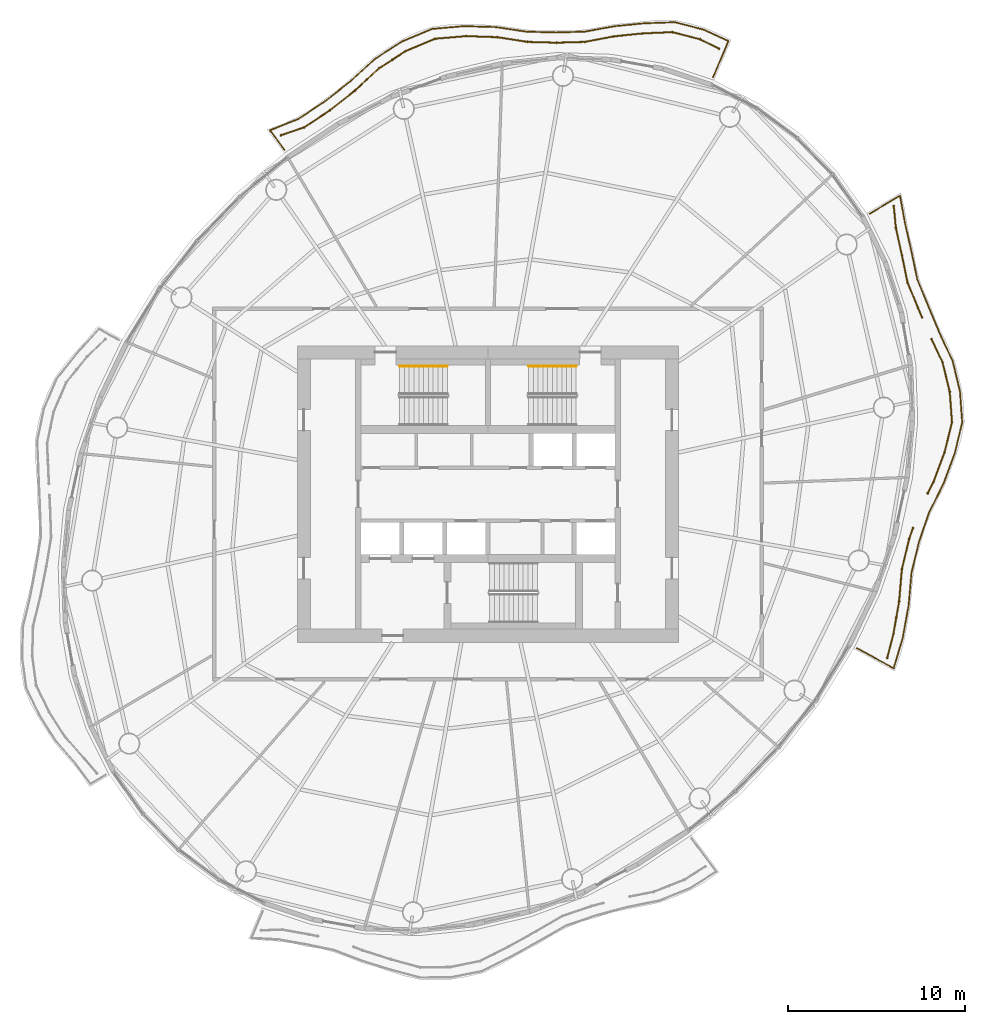
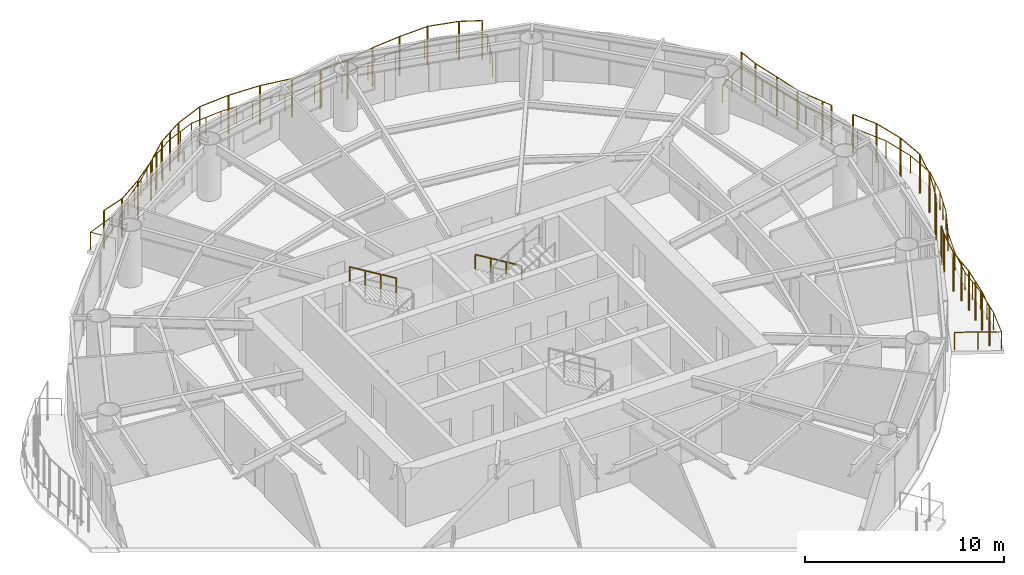
# One storey, part 14 of 14: 8 railings.
"""IFC4 building model written with IfcOpenShell, lengths in metres."""

from ifc_helpers import new_model, si_unit, direction, frame, origin, origin_2d, place, context, subcontext, project, spatial, circle, extrude, material, type_object, element, save


model = new_model("IFC4")

# Units and contexts
model_context = context("Model", 3, precision=1e-05, world=origin(), true_north=direction((0.0, 1.0)))
body_context = subcontext(model_context, "Body", "Model", "MODEL_VIEW")
ifc_project = project(units=[si_unit("LENGTHUNIT", "METRE"), si_unit("AREAUNIT", "SQUARE_METRE"), si_unit("VOLUMEUNIT", "CUBIC_METRE"), si_unit("PLANEANGLEUNIT", "RADIAN"), si_unit("MASSUNIT", "GRAM", prefix="KILO")], contexts=[model_context])

# Site, building, storey
site_placement = place(None, origin())
site = spatial("IfcSite", under=ifc_project, at=site_placement, CompositionType="ELEMENT")
building_placement = place(site_placement, origin())
building = spatial("IfcBuilding", under=site, at=building_placement, Name="Vermilion Reach Broadcast Tower", CompositionType="ELEMENT")
storey_placement = place(building_placement, frame((0.0, 0.0, 228.10009765625)))
storey = spatial("IfcBuildingStorey", under=building, at=storey_placement, Name="L56", CompositionType="ELEMENT", Elevation=228.10009765625)

# Railings
ifc_material_1 = material(Name="Terracotta baguette", Category="masonry")
railing_type_1 = type_object("IfcRailingType", Name="BAGUETTE SCREEN", PredefinedType="USERDEFINED", material=ifc_material_1)
railing_1_placement = place(storey_placement, frame((7.08251953125, 25.23291015625, 0.0)))
element("IfcRailing", 1, at=railing_1_placement, inside=storey, type_object=railing_type_1, Name="Baguette screen L56 group 1", ObjectType="BAGUETTE SCREEN", PredefinedType="USERDEFINED", context=body_context, shape_type="SweptSolid", body=[
    extrude(circle(Radius=0.030029296875, at=origin_2d()), frame((0.0, 0.0, 2.369873046875), z_axis=(-0.894839368903, 0.446388288222, 0.0), x_axis=(-0.446388288222, -0.894839368903, 0.0)), (0.0, 0.0, 1.0), 1.18359375),
    extrude(circle(Radius=0.030029296875, at=origin_2d()), frame((-1.05908203125, 0.5283203125, 2.369873046875), z_axis=(-0.968167002315, 0.250305125055, 0.0), x_axis=(-0.250305125055, -0.968167002315, 0.0)), (0.0, 0.0, 1.0), 1.625),
    extrude(circle(Radius=0.030029296875, at=origin_2d()), frame((-2.63232421875, 0.93505859375, 2.369873046875), z_axis=(-0.999123793949, -0.04185265062, 0.0), x_axis=(0.04185265062, -0.999123793949, 0.0)), (0.0, 0.0, 1.0), 1.691650390625),
    extrude(circle(Radius=0.030029296875, at=origin_2d()), frame((-4.322509765625, 0.8642578125, 2.369873046875), z_axis=(-0.994676651073, -0.103045425951, 0.0), x_axis=(0.103045425951, -0.994676651073, 0.0)), (0.0, 0.0, 1.0), 1.6513671875),
    extrude(circle(Radius=0.030029296875, at=origin_2d()), frame((-5.965087890625, 0.694091796875, 2.369873046875), z_axis=(-0.982385998176, -0.186862919241, 0.0), x_axis=(0.186862919241, -0.982385998176, 0.0)), (0.0, 0.0, 1.0), 1.665771484375),
    extrude(circle(Radius=0.030029296875, at=origin_2d()), frame((-7.6015625, 0.3828125, 2.369873046875), z_axis=(-0.999580891584, -0.02894894093, 0.0), x_axis=(0.02894894093, -0.999580891584, 0.0)), (0.0, 0.0, 1.0), 1.593994140625),
    extrude(circle(Radius=0.030029296875, at=origin_2d()), frame((-9.19482421875, 0.336669921875, 2.369873046875), z_axis=(-0.99959871265, 0.028326907139, 0.0), x_axis=(-0.028326907139, -0.99959871265, 0.0)), (0.0, 0.0, 1.0), 1.646240234375),
    extrude(circle(Radius=0.030029296875, at=origin_2d()), frame((-10.84033203125, 0.38330078125, 2.369873046875), z_axis=(-0.988067819119, 0.154019430013, 0.0), x_axis=(-0.154019430013, -0.988067819119, 0.0)), (0.0, 0.0, 1.0), 1.7294921875),
    extrude(circle(Radius=0.030029296875, at=origin_2d()), frame((-12.549072265625, 0.649658203125, 2.369873046875), z_axis=(-0.999427839296, 0.033822980942, 0.0), x_axis=(-0.033822980942, -0.999427839296, 0.0)), (0.0, 0.0, 1.0), 1.775634765625),
    extrude(circle(Radius=0.030029296875, at=origin_2d()), frame((-14.32373046875, 0.709716796875, 2.369873046875), z_axis=(-0.996409629639, -0.084663155876, 0.0), x_axis=(0.084663155876, -0.996409629639, 0.0)), (0.0, 0.0, 1.0), 1.7734375),
    extrude(circle(Radius=0.030029296875, at=origin_2d()), frame((-16.0908203125, 0.5595703125, 2.369873046875), z_axis=(-0.920783185986, -0.390074767712, 0.0), x_axis=(0.390074767712, -0.920783185986, 0.0)), (0.0, 0.0, 1.0), 1.794921875),
    extrude(circle(Radius=0.030029296875, at=origin_2d()), frame((-17.74365234375, -0.140625, 2.369873046875), z_axis=(-0.841020081252, -0.541003902879, 0.0), x_axis=(0.541003902879, -0.841020081252, 0.0)), (0.0, 0.0, 1.0), 1.80322265625),
    extrude(circle(Radius=0.030029296875, at=origin_2d()), frame((-19.26025390625, -1.1162109375, 2.369873046875), z_axis=(-0.733487580639, -0.679702853495, 0.0), x_axis=(0.679702853495, -0.733487580639, 0.0)), (0.0, 0.0, 1.0), 1.86572265625),
    extrude(circle(Radius=0.030029296875, at=origin_2d()), frame((-20.628662109375, -2.38427734375, 2.369873046875), z_axis=(-0.784619077431, -0.619978147463, 0.0), x_axis=(0.619978147463, -0.784619077431, 0.0)), (0.0, 0.0, 1.0), 1.778076171875),
    extrude(circle(Radius=0.030029296875, at=origin_2d()), frame((-22.023681640625, -3.486572265625, 2.369873046875), z_axis=(-0.833024880406, -0.553235527262, 0.0), x_axis=(0.553235527262, -0.833024880406, 0.0)), (0.0, 0.0, 1.0), 1.7705078125),
    extrude(circle(Radius=0.030029296875, at=origin_2d()), frame((-23.49853515625, -4.466064453125, 2.369873046875), z_axis=(-0.947709088436, -0.319135525594, 0.0), x_axis=(0.319135525594, -0.947709088436, 0.0)), (0.0, 0.0, 1.0), 1.384765625),
    extrude(circle(Radius=0.050048828125, at=origin_2d()), origin(), (0.0, 0.0, 1.0), 2.33984375),
    extrude(circle(Radius=0.050048828125, at=origin_2d()), frame((-1.05908203125, 0.5283203125, 0.0)), (0.0, 0.0, 1.0), 2.33984375),
    extrude(circle(Radius=0.050048828125, at=origin_2d()), frame((-2.63232421875, 0.93505859375, 0.0)), (0.0, 0.0, 1.0), 2.33984375),
    extrude(circle(Radius=0.050048828125, at=origin_2d()), frame((-4.322509765625, 0.8642578125, 0.0)), (0.0, 0.0, 1.0), 2.33984375),
    extrude(circle(Radius=0.050048828125, at=origin_2d()), frame((-5.965087890625, 0.694091796875, 0.0)), (0.0, 0.0, 1.0), 2.33984375),
    extrude(circle(Radius=0.050048828125, at=origin_2d()), frame((-7.6015625, 0.3828125, 0.0)), (0.0, 0.0, 1.0), 2.33984375),
    extrude(circle(Radius=0.050048828125, at=origin_2d()), frame((-9.19482421875, 0.336669921875, 0.0)), (0.0, 0.0, 1.0), 2.33984375),
    extrude(circle(Radius=0.050048828125, at=origin_2d()), frame((-10.84033203125, 0.38330078125, 0.0)), (0.0, 0.0, 1.0), 2.33984375),
    extrude(circle(Radius=0.050048828125, at=origin_2d()), frame((-12.549072265625, 0.649658203125, 0.0)), (0.0, 0.0, 1.0), 2.33984375),
    extrude(circle(Radius=0.050048828125, at=origin_2d()), frame((-14.32373046875, 0.709716796875, 0.0)), (0.0, 0.0, 1.0), 2.33984375),
    extrude(circle(Radius=0.050048828125, at=origin_2d()), frame((-16.0908203125, 0.5595703125, 0.0)), (0.0, 0.0, 1.0), 2.33984375),
    extrude(circle(Radius=0.050048828125, at=origin_2d()), frame((-17.74365234375, -0.140625, 0.0)), (0.0, 0.0, 1.0), 2.33984375),
    extrude(circle(Radius=0.050048828125, at=origin_2d()), frame((-18.501953125, -0.62841796875, 0.0)), (0.0, 0.0, 1.0), 2.33984375),
    extrude(circle(Radius=0.050048828125, at=origin_2d()), frame((-19.26025390625, -1.1162109375, 0.0)), (0.0, 0.0, 1.0), 2.33984375),
    extrude(circle(Radius=0.050048828125, at=origin_2d()), frame((-19.9443359375, -1.750244140625, 0.0)), (0.0, 0.0, 1.0), 2.33984375),
    extrude(circle(Radius=0.050048828125, at=origin_2d()), frame((-20.628662109375, -2.38427734375, 0.0)), (0.0, 0.0, 1.0), 2.33984375),
    extrude(circle(Radius=0.050048828125, at=origin_2d()), frame((-22.023681640625, -3.486572265625, 0.0)), (0.0, 0.0, 1.0), 2.33984375),
    extrude(circle(Radius=0.050048828125, at=origin_2d()), frame((-23.49853515625, -4.466064453125, 0.0)), (0.0, 0.0, 1.0), 2.33984375),
    extrude(circle(Radius=0.050048828125, at=origin_2d()), frame((-24.810791015625, -4.907958984375, 0.0)), (0.0, 0.0, 1.0), 2.33984375),
])
railing_2_placement = place(storey_placement, frame((16.6162109375, -9.290283203125, 0.0)))
element("IfcRailing", 2, at=railing_2_placement, inside=storey, type_object=railing_type_1, Name="Baguette screen L56 group 4 part 1", ObjectType="BAGUETTE SCREEN", PredefinedType="USERDEFINED", context=body_context, shape_type="SweptSolid", body=[
    extrude(circle(Radius=0.030029296875, at=origin_2d()), frame((0.0, 0.0, 2.369873046875), z_axis=(0.247791962299, 0.968813265506, 0.0), x_axis=(-0.968813265506, 0.247791962299, 0.0)), (0.0, 0.0, 1.0), 1.419677734375),
    extrude(circle(Radius=0.030029296875, at=origin_2d()), frame((0.351806640625, 1.37548828125, 2.369873046875), z_axis=(0.173621496313, 0.984812457282, 0.0), x_axis=(-0.984812457282, 0.173621496313, 0.0)), (0.0, 0.0, 1.0), 1.8701171875),
    extrude(circle(Radius=0.030029296875, at=origin_2d()), frame((0.676513671875, 3.21728515625, 2.369873046875), z_axis=(0.083873100912, 0.996476443747, 0.0), x_axis=(-0.996476443747, 0.083873100912, 0.0)), (0.0, 0.0, 1.0), 1.830810546875),
    extrude(circle(Radius=0.030029296875, at=origin_2d()), frame((0.830078125, 5.041748046875, 2.369873046875), z_axis=(0.236027454806, 0.971746386964, 0.0), x_axis=(-0.971746386964, 0.236027454806, 0.0)), (0.0, 0.0, 1.0), 1.7490234375),
    extrude(circle(Radius=0.030029296875, at=origin_2d()), frame((1.242919921875, 6.741455078125, 2.369873046875), z_axis=(0.324532214617, 0.945874643743, 0.0), x_axis=(-0.945874643743, 0.324532214617, 0.0)), (0.0, 0.0, 1.0), 0.660400390625),
    extrude(circle(Radius=0.050048828125, at=origin_2d()), origin(), (0.0, 0.0, 1.0), 2.33984375),
    extrude(circle(Radius=0.050048828125, at=origin_2d()), frame((0.351806640625, 1.37548828125, 0.0)), (0.0, 0.0, 1.0), 2.33984375),
    extrude(circle(Radius=0.050048828125, at=origin_2d()), frame((0.51416015625, 2.29638671875, 0.0)), (0.0, 0.0, 1.0), 2.33984375),
    extrude(circle(Radius=0.050048828125, at=origin_2d()), frame((0.676513671875, 3.21728515625, 0.0)), (0.0, 0.0, 1.0), 2.33984375),
    extrude(circle(Radius=0.050048828125, at=origin_2d()), frame((0.75341796875, 4.12939453125, 0.0)), (0.0, 0.0, 1.0), 2.33984375),
    extrude(circle(Radius=0.050048828125, at=origin_2d()), frame((0.830078125, 5.041748046875, 0.0)), (0.0, 0.0, 1.0), 2.33984375),
    extrude(circle(Radius=0.050048828125, at=origin_2d()), frame((1.242919921875, 6.741455078125, 0.0)), (0.0, 0.0, 1.0), 2.33984375),
    extrude(circle(Radius=0.050048828125, at=origin_2d()), frame((1.457275390625, 7.3662109375, 0.0)), (0.0, 0.0, 1.0), 2.33984375),
])
railing_3_placement = place(storey_placement, frame((18.908203125, 0.043212890625, 0.0)))
element("IfcRailing", 3, at=railing_3_placement, inside=storey, type_object=railing_type_1, Name="Baguette screen L56 group 4 part 2", ObjectType="BAGUETTE SCREEN", PredefinedType="USERDEFINED", context=body_context, shape_type="SweptSolid", body=[
    extrude(circle(Radius=0.030029296875, at=origin_2d()), frame((0.0, 0.0, 2.369873046875), z_axis=(0.453151105811, 0.891433718962, 0.0), x_axis=(-0.891433718962, 0.453151105811, 0.0)), (0.0, 0.0, 1.0), 0.722412109375),
    extrude(circle(Radius=0.030029296875, at=origin_2d()), frame((0.327392578125, 0.64404296875, 2.369873046875), z_axis=(0.352285749198, 0.935892488971, 0.0), x_axis=(-0.935892488971, 0.352285749198, 0.0)), (0.0, 0.0, 1.0), 1.77197265625),
    extrude(circle(Radius=0.030029296875, at=origin_2d()), frame((0.95166015625, 2.302490234375, 2.369873046875), z_axis=(0.239629836039, 0.970864327123, 0.0), x_axis=(-0.970864327123, 0.239629836039, 0.0)), (0.0, 0.0, 1.0), 1.77978515625),
    extrude(circle(Radius=0.030029296875, at=origin_2d()), frame((1.378173828125, 4.030517578125, 2.369873046875), z_axis=(-0.074232426119, 0.997240967326, 0.0), x_axis=(-0.997240967326, -0.074232426119, 0.0)), (0.0, 0.0, 1.0), 1.719970703125),
    extrude(circle(Radius=0.030029296875, at=origin_2d()), frame((1.25048828125, 5.745849609375, 2.369873046875), z_axis=(-0.237228581567, 0.97145385896, 0.0), x_axis=(-0.97145385896, -0.237228581567, 0.0)), (0.0, 0.0, 1.0), 1.733154296875),
    extrude(circle(Radius=0.030029296875, at=origin_2d()), frame((0.83935546875, 7.429443359375, 2.369873046875), z_axis=(-0.430504302183, 0.902588525189, 0.0), x_axis=(-0.902588525189, -0.430504302183, 0.0)), (0.0, 0.0, 1.0), 1.4443359375),
    extrude(circle(Radius=0.050048828125, at=origin_2d()), origin(), (0.0, 0.0, 1.0), 2.33984375),
    extrude(circle(Radius=0.050048828125, at=origin_2d()), frame((0.327392578125, 0.64404296875, 0.0)), (0.0, 0.0, 1.0), 2.33984375),
    extrude(circle(Radius=0.050048828125, at=origin_2d()), frame((0.95166015625, 2.302490234375, 0.0)), (0.0, 0.0, 1.0), 2.33984375),
    extrude(circle(Radius=0.050048828125, at=origin_2d()), frame((1.378173828125, 4.030517578125, 0.0)), (0.0, 0.0, 1.0), 2.33984375),
    extrude(circle(Radius=0.050048828125, at=origin_2d()), frame((1.25048828125, 5.745849609375, 0.0)), (0.0, 0.0, 1.0), 2.33984375),
    extrude(circle(Radius=0.050048828125, at=origin_2d()), frame((0.83935546875, 7.429443359375, 0.0)), (0.0, 0.0, 1.0), 2.33984375),
    extrude(circle(Radius=0.050048828125, at=origin_2d()), frame((0.217529296875, 8.733154296875, 0.0)), (0.0, 0.0, 1.0), 2.33984375),
])
railing_4_placement = place(storey_placement, frame((18.586669921875, 10.018310546875, 0.0)))
element("IfcRailing", 4, at=railing_4_placement, inside=storey, type_object=railing_type_1, Name="Baguette screen L56 group 4 part 3", ObjectType="BAGUETTE SCREEN", PredefinedType="USERDEFINED", context=body_context, shape_type="SweptSolid", body=[
    extrude(circle(Radius=0.030029296875, at=origin_2d()), frame((0.0, 0.0, 2.369873046875), z_axis=(-0.389963275976, 0.920830409679, 0.0), x_axis=(-0.920830409679, -0.389963275976, 0.0)), (0.0, 0.0, 1.0), 0.566650390625),
    extrude(circle(Radius=0.030029296875, at=origin_2d()), frame((-0.220947265625, 0.521728515625, 2.369873046875), z_axis=(-0.382448029039, 0.92397700463, 0.0), x_axis=(-0.92397700463, -0.382448029039, 0.0)), (0.0, 0.0, 1.0), 1.568359375),
    extrude(circle(Radius=0.030029296875, at=origin_2d()), frame((-0.82080078125, 1.970947265625, 2.369873046875), z_axis=(-0.201138149134, 0.979562884639, 0.0), x_axis=(-0.979562884639, -0.201138149134, 0.0)), (0.0, 0.0, 1.0), 1.5791015625),
    extrude(circle(Radius=0.030029296875, at=origin_2d()), frame((-1.138427734375, 3.517822265625, 2.369873046875), z_axis=(-0.216457370812, 0.976292070346, 0.0), x_axis=(-0.976292070346, -0.216457370812, 0.0)), (0.0, 0.0, 1.0), 1.584716796875),
    extrude(circle(Radius=0.030029296875, at=origin_2d()), frame((-1.4814453125, 5.06494140625, 2.369873046875), z_axis=(-0.093970590413, 0.99557497364, 0.0), x_axis=(-0.99557497364, -0.093970590413, 0.0)), (0.0, 0.0, 1.0), 1.236572265625),
    extrude(circle(Radius=0.050048828125, at=origin_2d()), origin(), (0.0, 0.0, 1.0), 2.33984375),
    extrude(circle(Radius=0.050048828125, at=origin_2d()), frame((-0.220947265625, 0.521728515625, 0.0)), (0.0, 0.0, 1.0), 2.33984375),
    extrude(circle(Radius=0.050048828125, at=origin_2d()), frame((-0.82080078125, 1.970947265625, 0.0)), (0.0, 0.0, 1.0), 2.33984375),
    extrude(circle(Radius=0.050048828125, at=origin_2d()), frame((-1.138427734375, 3.517822265625, 0.0)), (0.0, 0.0, 1.0), 2.33984375),
    extrude(circle(Radius=0.050048828125, at=origin_2d()), frame((-1.4814453125, 5.06494140625, 0.0)), (0.0, 0.0, 1.0), 2.33984375),
    extrude(circle(Radius=0.050048828125, at=origin_2d()), frame((-1.59765625, 6.296142578125, 0.0)), (0.0, 0.0, 1.0), 2.33984375),
])
ifc_material_2 = material(Name="Stainless steel 316 balustrade", Category="steel")
railing_type_2 = type_object("IfcRailingType", Name="Balcony guard 1100", PredefinedType="BALUSTRADE", material=ifc_material_2)
railing_5_placement = place(storey_placement, frame((6.75537109375, 23.6181640625, 0.0)))
element("IfcRailing", 5, at=railing_5_placement, inside=storey, type_object=railing_type_2, Name="Balcony guard L56 group 1", PredefinedType="BALUSTRADE", context=body_context, shape_type="SweptSolid", body=[
    extrude(circle(Radius=0.02490234375, at=origin_2d()), frame((0.0, 0.0, 1.0751953125), z_axis=(0.390239117862, 0.920713544426, 0.0), x_axis=(-0.920713544426, 0.390239117862, 0.0)), (0.0, 0.0, 1.0), 2.2197265625),
    extrude(circle(Radius=0.02490234375, at=origin_2d()), frame((0.8662109375, 2.043701171875, 1.0751953125), z_axis=(-0.908779795511, 0.417276027674, 0.0), x_axis=(-0.417276027674, -0.908779795511, 0.0)), (0.0, 0.0, 1.0), 1.5556640625),
    extrude(circle(Radius=0.02490234375, at=origin_2d()), frame((-0.547607421875, 2.69287109375, 1.0751953125), z_axis=(-0.967942880766, 0.251170419385, 0.0), x_axis=(-0.251170419385, -0.967942880766, 0.0)), (0.0, 0.0, 1.0), 1.66796875),
    extrude(circle(Radius=0.02490234375, at=origin_2d()), frame((-2.162109375, 3.11181640625, 1.0751953125), z_axis=(-0.999365184185, -0.035626235254, 0.0), x_axis=(0.035626235254, -0.999365184185, 0.0)), (0.0, 0.0, 1.0), 1.73388671875),
    extrude(circle(Radius=0.02490234375, at=origin_2d()), frame((-3.894775390625, 3.050048828125, 1.0751953125), z_axis=(-0.995270209778, -0.097145301114, 0.0), x_axis=(0.097145301114, -0.995270209778, 0.0)), (0.0, 0.0, 1.0), 1.69140625),
    extrude(circle(Radius=0.02490234375, at=origin_2d()), frame((-5.578125, 2.8857421875, 1.0751953125), z_axis=(-0.98350146646, -0.180900153319, 0.0), x_axis=(0.180900153319, -0.98350146646, 0.0)), (0.0, 0.0, 1.0), 1.705810546875),
    extrude(circle(Radius=0.02490234375, at=origin_2d()), frame((-7.255859375, 2.5771484375, 1.0751953125), z_axis=(-0.99960491047, -0.028107347168, 0.0), x_axis=(0.028107347168, -0.99960491047, 0.0)), (0.0, 0.0, 1.0), 1.633056640625),
    extrude(circle(Radius=0.02490234375, at=origin_2d()), frame((-8.88818359375, 2.53125, 1.0751953125), z_axis=(-0.999663772729, 0.025929548662, 0.0), x_axis=(-0.025929548662, -0.999663772729, 0.0)), (0.0, 0.0, 1.0), 1.685302734375),
    extrude(circle(Radius=0.02490234375, at=origin_2d()), frame((-10.572998046875, 2.574951171875, 1.0751953125), z_axis=(-0.988983993126, 0.148022502818, 0.0), x_axis=(-0.148022502818, -0.988983993126, 0.0)), (0.0, 0.0, 1.0), 1.764892578125),
    extrude(circle(Radius=0.02490234375, at=origin_2d()), frame((-12.318359375, 2.836181640625, 1.0751953125), z_axis=(-0.999576444062, 0.029102104316, 0.0), x_axis=(-0.029102104316, -0.999576444062, 0.0)), (0.0, 0.0, 1.0), 1.81201171875),
    extrude(circle(Radius=0.02490234375, at=origin_2d()), frame((-14.129638671875, 2.888916015625, 1.0751953125), z_axis=(-0.99610512312, -0.088173599756, 0.0), x_axis=(0.088173599756, -0.99610512312, 0.0)), (0.0, 0.0, 1.0), 1.80810546875),
    extrude(circle(Radius=0.02490234375, at=origin_2d()), frame((-15.9306640625, 2.7294921875, 1.0751953125), z_axis=(-0.921399232149, -0.388617363219, 0.0), x_axis=(0.388617363219, -0.921399232149, 0.0)), (0.0, 0.0, 1.0), 1.83056640625),
    extrude(circle(Radius=0.02490234375, at=origin_2d()), frame((-17.617431640625, 2.01806640625, 1.0751953125), z_axis=(-0.842910663283, -0.538053541689, 0.0), x_axis=(0.538053541689, -0.842910663283, 0.0)), (0.0, 0.0, 1.0), 1.83642578125),
    extrude(circle(Radius=0.02490234375, at=origin_2d()), frame((-19.165283203125, 1.030029296875, 1.0751953125), z_axis=(-0.737180836501, -0.675695504125, 0.0), x_axis=(0.675695504125, -0.737180836501, 0.0)), (0.0, 0.0, 1.0), 1.89794921875),
    extrude(circle(Radius=0.02490234375, at=origin_2d()), frame((-20.564453125, -0.25244140625, 1.0751953125), z_axis=(-0.786482123774, -0.617613041462, 0.0), x_axis=(0.617613041462, -0.786482123774, 0.0)), (0.0, 0.0, 1.0), 1.81005859375),
    extrude(circle(Radius=0.02490234375, at=origin_2d()), frame((-21.988037109375, -1.370361328125, 1.0751953125), z_axis=(-0.833318684356, -0.552792881921, 0.0), x_axis=(0.552792881921, -0.833318684356, 0.0)), (0.0, 0.0, 1.0), 1.80322265625),
    extrude(circle(Radius=0.02490234375, at=origin_2d()), frame((-23.49072265625, -2.3671875, 1.0751953125), z_axis=(-0.929202024512, -0.369572181912, 0.0), x_axis=(0.369572181912, -0.929202024512, 0.0)), (0.0, 0.0, 1.0), 1.73681640625),
    extrude(circle(Radius=0.02490234375, at=origin_2d()), frame((-25.1044921875, -3.009033203125, 1.0751953125), z_axis=(0.595611771729, -0.80327244281, 0.0), x_axis=(0.80327244281, 0.595611771729, 0.0)), (0.0, 0.0, 1.0), 1.382568359375),
    extrude(circle(Radius=0.02490234375, at=origin_2d()), origin(), (0.0, 0.0, 1.0), 1.050048828125),
    extrude(circle(Radius=0.02490234375, at=origin_2d()), frame((0.43310546875, 1.02197265625, 0.0)), (0.0, 0.0, 1.0), 1.050048828125),
    extrude(circle(Radius=0.02490234375, at=origin_2d()), frame((0.8662109375, 2.043701171875, 0.0)), (0.0, 0.0, 1.0), 1.050048828125),
    extrude(circle(Radius=0.02490234375, at=origin_2d()), frame((-0.547607421875, 2.69287109375, 0.0)), (0.0, 0.0, 1.0), 1.050048828125),
    extrude(circle(Radius=0.02490234375, at=origin_2d()), frame((-2.162109375, 3.11181640625, 0.0)), (0.0, 0.0, 1.0), 1.050048828125),
    extrude(circle(Radius=0.02490234375, at=origin_2d()), frame((-3.894775390625, 3.050048828125, 0.0)), (0.0, 0.0, 1.0), 1.050048828125),
    extrude(circle(Radius=0.02490234375, at=origin_2d()), frame((-5.578125, 2.8857421875, 0.0)), (0.0, 0.0, 1.0), 1.050048828125),
    extrude(circle(Radius=0.02490234375, at=origin_2d()), frame((-7.255859375, 2.5771484375, 0.0)), (0.0, 0.0, 1.0), 1.050048828125),
    extrude(circle(Radius=0.02490234375, at=origin_2d()), frame((-8.88818359375, 2.53125, 0.0)), (0.0, 0.0, 1.0), 1.050048828125),
    extrude(circle(Radius=0.02490234375, at=origin_2d()), frame((-10.572998046875, 2.574951171875, 0.0)), (0.0, 0.0, 1.0), 1.050048828125),
    extrude(circle(Radius=0.02490234375, at=origin_2d()), frame((-12.318359375, 2.836181640625, 0.0)), (0.0, 0.0, 1.0), 1.050048828125),
    extrude(circle(Radius=0.02490234375, at=origin_2d()), frame((-13.22412109375, 2.862548828125, 0.0)), (0.0, 0.0, 1.0), 1.050048828125),
    extrude(circle(Radius=0.02490234375, at=origin_2d()), frame((-14.129638671875, 2.888916015625, 0.0)), (0.0, 0.0, 1.0), 1.050048828125),
    extrude(circle(Radius=0.02490234375, at=origin_2d()), frame((-15.0302734375, 2.80908203125, 0.0)), (0.0, 0.0, 1.0), 1.050048828125),
    extrude(circle(Radius=0.02490234375, at=origin_2d()), frame((-15.9306640625, 2.7294921875, 0.0)), (0.0, 0.0, 1.0), 1.050048828125),
    extrude(circle(Radius=0.02490234375, at=origin_2d()), frame((-16.77392578125, 2.373779296875, 0.0)), (0.0, 0.0, 1.0), 1.050048828125),
    extrude(circle(Radius=0.02490234375, at=origin_2d()), frame((-17.617431640625, 2.01806640625, 0.0)), (0.0, 0.0, 1.0), 1.050048828125),
    extrude(circle(Radius=0.02490234375, at=origin_2d()), frame((-18.391357421875, 1.52392578125, 0.0)), (0.0, 0.0, 1.0), 1.050048828125),
    extrude(circle(Radius=0.02490234375, at=origin_2d()), frame((-19.165283203125, 1.030029296875, 0.0)), (0.0, 0.0, 1.0), 1.050048828125),
    extrude(circle(Radius=0.02490234375, at=origin_2d()), frame((-19.86474609375, 0.388671875, 0.0)), (0.0, 0.0, 1.0), 1.050048828125),
    extrude(circle(Radius=0.02490234375, at=origin_2d()), frame((-20.564453125, -0.25244140625, 0.0)), (0.0, 0.0, 1.0), 1.050048828125),
    extrude(circle(Radius=0.02490234375, at=origin_2d()), frame((-21.2763671875, -0.8115234375, 0.0)), (0.0, 0.0, 1.0), 1.050048828125),
    extrude(circle(Radius=0.02490234375, at=origin_2d()), frame((-21.988037109375, -1.370361328125, 0.0)), (0.0, 0.0, 1.0), 1.050048828125),
    extrude(circle(Radius=0.02490234375, at=origin_2d()), frame((-22.7392578125, -1.86865234375, 0.0)), (0.0, 0.0, 1.0), 1.050048828125),
    extrude(circle(Radius=0.02490234375, at=origin_2d()), frame((-23.49072265625, -2.3671875, 0.0)), (0.0, 0.0, 1.0), 1.050048828125),
    extrude(circle(Radius=0.02490234375, at=origin_2d()), frame((-25.1044921875, -3.009033203125, 0.0)), (0.0, 0.0, 1.0), 1.050048828125),
    extrude(circle(Radius=0.02490234375, at=origin_2d()), frame((-24.281005859375, -4.11962890625, 0.0)), (0.0, 0.0, 1.0), 1.050048828125),
])
railing_6_placement = place(storey_placement, frame((14.900634765625, -8.72900390625, 0.0)))
element("IfcRailing", 6, at=railing_6_placement, inside=storey, type_object=railing_type_2, Name="Balcony guard L56 group 4", PredefinedType="BALUSTRADE", context=body_context, shape_type="SweptSolid", body=[
    extrude(circle(Radius=0.02490234375, at=origin_2d()), frame((0.0, 0.0, 1.0751953125), z_axis=(0.877667407351, -0.479270197356, 0.0), x_axis=(0.479270197356, 0.877667407351, 0.0)), (0.0, 0.0, 1.0), 2.372802734375),
    extrude(circle(Radius=0.02490234375, at=origin_2d()), frame((2.08251953125, -1.13720703125, 1.0751953125), z_axis=(0.286212610126, 0.958166134762, 0.0), x_axis=(-0.958166134762, 0.286212610126, 0.0)), (0.0, 0.0, 1.0), 1.77587890625),
    extrude(circle(Radius=0.02490234375, at=origin_2d()), frame((2.5908203125, 0.564453125, 1.0751953125), z_axis=(0.177642822638, 0.984095029743, 0.0), x_axis=(-0.984095029743, 0.177642822638, 0.0)), (0.0, 0.0, 1.0), 1.902099609375),
    extrude(circle(Radius=0.02490234375, at=origin_2d()), frame((2.9287109375, 2.436279296875, 1.0751953125), z_axis=(0.088750785115, 0.996053863072, 0.0), x_axis=(-0.996053863072, 0.088750785115, 0.0)), (0.0, 0.0, 1.0), 1.8623046875),
    extrude(circle(Radius=0.02490234375, at=origin_2d()), frame((3.093994140625, 4.291259765625, 1.0751953125), z_axis=(0.237183154139, 0.971464951191, 0.0), x_axis=(-0.971464951191, 0.237183154139, 0.0)), (0.0, 0.0, 1.0), 1.78271484375),
    extrude(circle(Radius=0.02490234375, at=origin_2d()), frame((3.516845703125, 6.023193359375, 1.0751953125), z_axis=(0.322949077295, 0.946416342565, 0.0), x_axis=(-0.946416342565, 0.322949077295, 0.0)), (0.0, 0.0, 1.0), 1.75244140625),
    extrude(circle(Radius=0.02490234375, at=origin_2d()), frame((4.082763671875, 7.681640625, 1.0751953125), z_axis=(0.448274285074, 0.893896059585, 0.0), x_axis=(-0.893896059585, 0.448274285074, 0.0)), (0.0, 0.0, 1.0), 1.8408203125),
    extrude(circle(Radius=0.02490234375, at=origin_2d()), frame((4.907958984375, 9.3271484375, 1.0751953125), z_axis=(0.347996506111, 0.937495830249, 0.0), x_axis=(-0.937495830249, 0.347996506111, 0.0)), (0.0, 0.0, 1.0), 1.806396484375),
    extrude(circle(Radius=0.02490234375, at=origin_2d()), frame((5.53662109375, 11.020751953125, 1.0751953125), z_axis=(0.236015459417, 0.971749300446, 0.0), x_axis=(-0.971749300446, 0.236015459417, 0.0)), (0.0, 0.0, 1.0), 1.81640625),
    extrude(circle(Radius=0.02490234375, at=origin_2d()), frame((5.96533203125, 12.785888671875, 1.0751953125), z_axis=(-0.072668884311, 0.99735612158, 0.0), x_axis=(-0.99735612158, -0.072668884311, 0.0)), (0.0, 0.0, 1.0), 1.757080078125),
    extrude(circle(Radius=0.02490234375, at=origin_2d()), frame((5.837646484375, 14.538330078125, 1.0751953125), z_axis=(-0.233544919031, 0.972346013924, 0.0), x_axis=(-0.972346013924, -0.233544919031, 0.0)), (0.0, 0.0, 1.0), 1.77197265625),
    extrude(circle(Radius=0.02490234375, at=origin_2d()), frame((5.423828125, 16.26123046875, 1.0751953125), z_axis=(-0.424344905875, 0.905500635482, 0.0), x_axis=(-0.905500635482, -0.424344905875, 0.0)), (0.0, 0.0, 1.0), 1.757568359375),
    extrude(circle(Radius=0.02490234375, at=origin_2d()), frame((4.677978515625, 17.852783203125, 1.0751953125), z_axis=(-0.385510166171, 0.922703588255, 0.0), x_axis=(-0.922703588255, -0.385510166171, 0.0)), (0.0, 0.0, 1.0), 1.685302734375),
    extrude(circle(Radius=0.02490234375, at=origin_2d()), frame((4.0283203125, 19.40771484375, 1.0751953125), z_axis=(-0.379666211715, 0.925123541849, 0.0), x_axis=(-0.925123541849, -0.379666211715, 0.0)), (0.0, 0.0, 1.0), 1.609619140625),
    extrude(circle(Radius=0.02490234375, at=origin_2d()), frame((3.417236328125, 20.896728515625, 1.0751953125), z_axis=(-0.205168331853, 0.978726701181, 0.0), x_axis=(-0.978726701181, -0.205168331853, 0.0)), (0.0, 0.0, 1.0), 1.621826171875),
    extrude(circle(Radius=0.02490234375, at=origin_2d()), frame((3.08447265625, 22.484130859375, 1.0751953125), z_axis=(-0.221614618393, 0.975134329677, 0.0), x_axis=(-0.975134329677, -0.221614618393, 0.0)), (0.0, 0.0, 1.0), 1.627197265625),
    extrude(circle(Radius=0.02490234375, at=origin_2d()), frame((2.723876953125, 24.07080078125, 1.0751953125), z_axis=(-0.179006922254, 0.983847814342, 0.0), x_axis=(-0.983847814342, -0.179006922254, 0.0)), (0.0, 0.0, 1.0), 1.591552734375),
    extrude(circle(Radius=0.02490234375, at=origin_2d()), frame((2.43896484375, 25.63671875, 1.0751953125), z_axis=(-0.858175516489, -0.513356389752, 0.0), x_axis=(0.513356389752, -0.858175516489, 0.0)), (0.0, 0.0, 1.0), 1.986083984375),
    extrude(circle(Radius=0.02490234375, at=origin_2d()), origin(), (0.0, 0.0, 1.0), 1.050048828125),
    extrude(circle(Radius=0.02490234375, at=origin_2d()), frame((1.041259765625, -0.568603515625, 0.0)), (0.0, 0.0, 1.0), 1.050048828125),
    extrude(circle(Radius=0.02490234375, at=origin_2d()), frame((2.08251953125, -1.13720703125, 0.0)), (0.0, 0.0, 1.0), 1.050048828125),
    extrude(circle(Radius=0.02490234375, at=origin_2d()), frame((2.5908203125, 0.564453125, 0.0)), (0.0, 0.0, 1.0), 1.050048828125),
    extrude(circle(Radius=0.02490234375, at=origin_2d()), frame((2.759765625, 1.50048828125, 0.0)), (0.0, 0.0, 1.0), 1.050048828125),
    extrude(circle(Radius=0.02490234375, at=origin_2d()), frame((2.9287109375, 2.436279296875, 0.0)), (0.0, 0.0, 1.0), 1.050048828125),
    extrude(circle(Radius=0.02490234375, at=origin_2d()), frame((3.01123046875, 3.36376953125, 0.0)), (0.0, 0.0, 1.0), 1.050048828125),
    extrude(circle(Radius=0.02490234375, at=origin_2d()), frame((3.093994140625, 4.291259765625, 0.0)), (0.0, 0.0, 1.0), 1.050048828125),
    extrude(circle(Radius=0.02490234375, at=origin_2d()), frame((3.516845703125, 6.023193359375, 0.0)), (0.0, 0.0, 1.0), 1.050048828125),
    extrude(circle(Radius=0.02490234375, at=origin_2d()), frame((4.082763671875, 7.681640625, 0.0)), (0.0, 0.0, 1.0), 1.050048828125),
    extrude(circle(Radius=0.02490234375, at=origin_2d()), frame((4.495361328125, 8.50439453125, 0.0)), (0.0, 0.0, 1.0), 1.050048828125),
    extrude(circle(Radius=0.02490234375, at=origin_2d()), frame((4.907958984375, 9.3271484375, 0.0)), (0.0, 0.0, 1.0), 1.050048828125),
    extrude(circle(Radius=0.02490234375, at=origin_2d()), frame((5.22216796875, 10.173828125, 0.0)), (0.0, 0.0, 1.0), 1.050048828125),
    extrude(circle(Radius=0.02490234375, at=origin_2d()), frame((5.53662109375, 11.020751953125, 0.0)), (0.0, 0.0, 1.0), 1.050048828125),
    extrude(circle(Radius=0.02490234375, at=origin_2d()), frame((5.7509765625, 11.9033203125, 0.0)), (0.0, 0.0, 1.0), 1.050048828125),
    extrude(circle(Radius=0.02490234375, at=origin_2d()), frame((5.96533203125, 12.785888671875, 0.0)), (0.0, 0.0, 1.0), 1.050048828125),
    extrude(circle(Radius=0.02490234375, at=origin_2d()), frame((5.837646484375, 14.538330078125, 0.0)), (0.0, 0.0, 1.0), 1.050048828125),
    extrude(circle(Radius=0.02490234375, at=origin_2d()), frame((5.423828125, 16.26123046875, 0.0)), (0.0, 0.0, 1.0), 1.050048828125),
    extrude(circle(Radius=0.02490234375, at=origin_2d()), frame((4.677978515625, 17.852783203125, 0.0)), (0.0, 0.0, 1.0), 1.050048828125),
    extrude(circle(Radius=0.02490234375, at=origin_2d()), frame((4.0283203125, 19.40771484375, 0.0)), (0.0, 0.0, 1.0), 1.050048828125),
    extrude(circle(Radius=0.02490234375, at=origin_2d()), frame((3.417236328125, 20.896728515625, 0.0)), (0.0, 0.0, 1.0), 1.050048828125),
    extrude(circle(Radius=0.02490234375, at=origin_2d()), frame((3.08447265625, 22.484130859375, 0.0)), (0.0, 0.0, 1.0), 1.050048828125),
    extrude(circle(Radius=0.02490234375, at=origin_2d()), frame((2.723876953125, 24.07080078125, 0.0)), (0.0, 0.0, 1.0), 1.050048828125),
    extrude(circle(Radius=0.02490234375, at=origin_2d()), frame((2.43896484375, 25.63671875, 0.0)), (0.0, 0.0, 1.0), 1.050048828125),
    extrude(circle(Radius=0.02490234375, at=origin_2d()), frame((1.5869140625, 25.126953125, 0.0)), (0.0, 0.0, 1.0), 1.050048828125),
    extrude(circle(Radius=0.02490234375, at=origin_2d()), frame((0.734619140625, 24.6171875, 0.0)), (0.0, 0.0, 1.0), 1.050048828125),
])
ifc_material_3 = material(Name="Stainless steel", Category="steel")
railing_type_3 = type_object("IfcRailingType", Name="Stair handrail", PredefinedType="HANDRAIL", material=ifc_material_3)
for number, where, name in (
    (7, (-8.300048828125, 7.25, 1.963623046875), "L56 ST1 stair handrail 2"),
    (8, (-1.0, 7.25, 0.16357421875), "L56 ST2 stair handrail 1"),
):
    element("IfcRailing", number, at=place(storey_placement, frame(where)), inside=storey, type_object=railing_type_3, Name=name, PredefinedType="HANDRAIL", context=body_context, shape_type="SweptSolid", body=[
        extrude(circle(Radius=0.02392578125, at=origin_2d()), frame((0.0, 0.0, 0.8759765625), z_axis=(-0.855212373127, 0.0, 0.518277721738), x_axis=(0.0, -1.0, 0.0)), (0.0, 0.0, 1.0), 3.156982421875),
        extrude(circle(Radius=0.02099609375, at=origin_2d()), origin(), (0.0, 0.0, 1.0), 0.851806640625),
        extrude(circle(Radius=0.02099609375, at=origin_2d()), frame((-0.89990234375, 0.0, 0.54541015625)), (0.0, 0.0, 1.0), 0.851806640625),
        extrude(circle(Radius=0.02099609375, at=origin_2d()), frame((-1.800048828125, 0.0, 1.0908203125)), (0.0, 0.0, 1.0), 0.851806640625),
        extrude(circle(Radius=0.02099609375, at=origin_2d()), frame((-2.699951171875, 0.0, 1.63623046875)), (0.0, 0.0, 1.0), 0.851806640625),
    ])

save(model, "model.ifc")
